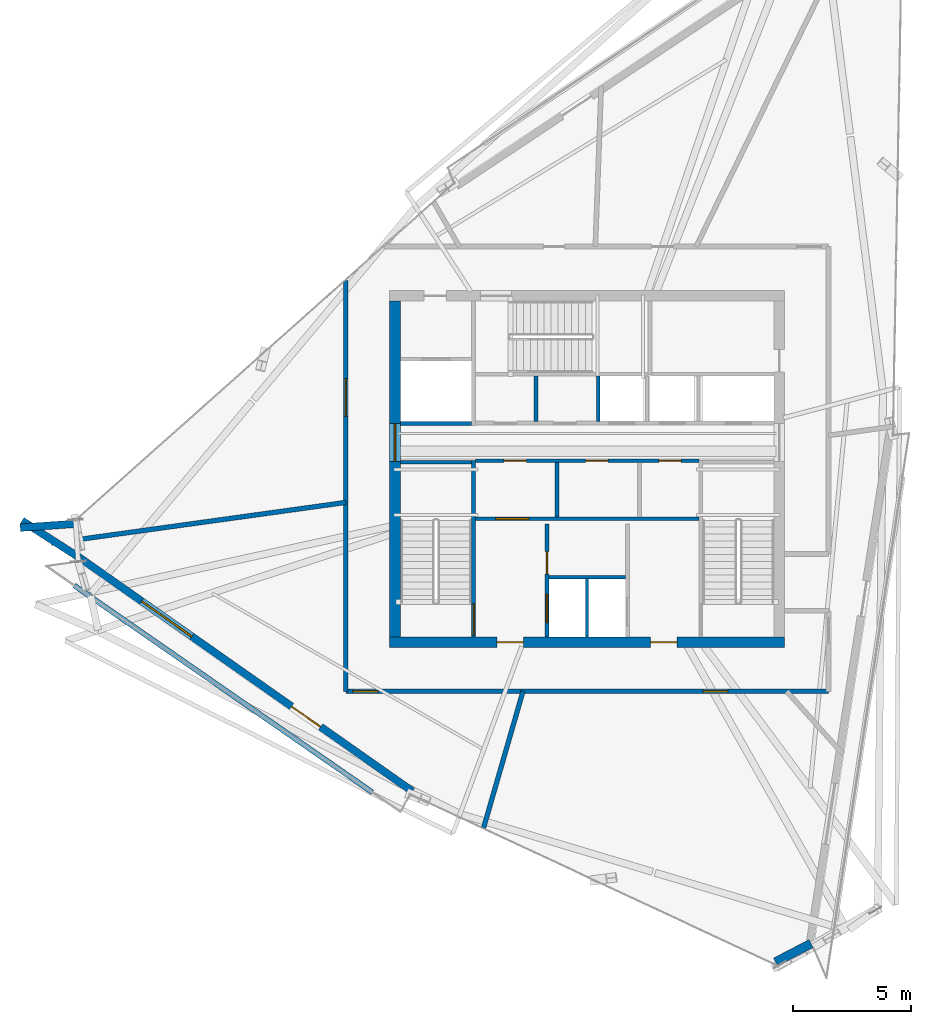
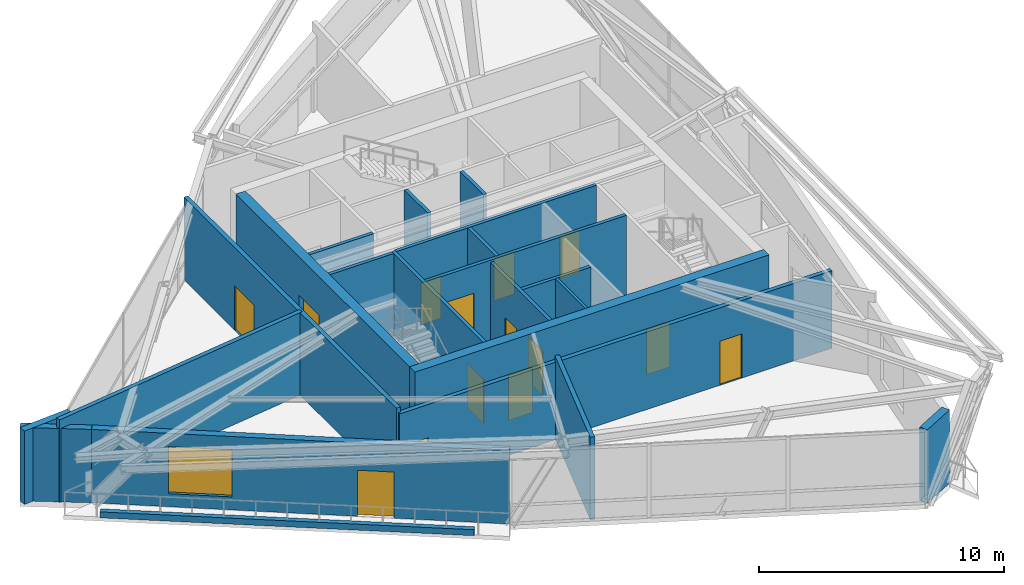
# One storey, part 17 of 22: 22 walls, 13 doors, 2 windows, 15 openings.
"""IFC4 building model written with IfcOpenShell, lengths in metres."""

from ifc_helpers import new_model, si_unit, direction, frame, frame_2d, origin, place, context, subcontext, project, spatial, rectangle, extrude, source, transform, mapped, material, layer, layer_set, type_object, type_shapes, element, fill, save


model = new_model("IFC4")

# Units and contexts
model_context = context("Model", 3, precision=1e-05, world=origin(), true_north=direction((0.0, 1.0)))
body_context = subcontext(model_context, "Body", "Model", "MODEL_VIEW")
ifc_project = project(units=[si_unit("LENGTHUNIT", "METRE"), si_unit("AREAUNIT", "SQUARE_METRE"), si_unit("VOLUMEUNIT", "CUBIC_METRE"), si_unit("PLANEANGLEUNIT", "RADIAN"), si_unit("MASSUNIT", "GRAM", prefix="KILO")], contexts=[model_context])

# Site, building, storey
site_placement = place(None, origin())
site = spatial("IfcSite", under=ifc_project, at=site_placement, CompositionType="ELEMENT")
building_placement = place(site_placement, origin())
building = spatial("IfcBuilding", under=site, at=building_placement, Name="Olszyna Solenne Hotel", CompositionType="ELEMENT")
storey_placement = place(building_placement, frame((0.0, 0.0, 286.10009765625)))
storey = spatial("IfcBuildingStorey", under=building, at=storey_placement, Name="L76", CompositionType="ELEMENT", Elevation=286.10009765625)

# Wall, openings, doors
ifc_material_1 = material(Name="Concrete C50/60", Category="concrete")
ifc_layer_1 = layer(ifc_material_1, 0.449951171875, Name="Concrete C50/60")
ifc_layer_set_1 = layer_set([ifc_layer_1], Name="Concrete C50/60")
wall_type_1 = type_object("IfcWallType", Name="WL-CR450", PredefinedType="SHEAR", material=ifc_layer_set_1)
wall_1_placement = place(storey_placement, frame((46.35009765625, 19.27490234375, 0.0), z_axis=(0.0, 0.0, 1.0), x_axis=(-1.0, 0.0, 0.0)))
wall_1 = element("IfcWall", 1, at=wall_1_placement, inside=storey, type_object=wall_type_1, Name="Core shear wall WL-CR450 CRW-L76-S", PredefinedType="SHEAR", context=body_context, shape_type="SweptSolid", body=[
    extrude(rectangle(XDim=16.7001953125, YDim=0.449951171875, at=frame_2d((8.35009765625, 0.0))), origin(), (0.0, 0.0, 1.0), 4.119873046875),
])
opening_1_placement = place(wall_1_placement, frame((4.550048828125, 0.0, 0.0)))
opening_1 = element("IfcOpeningElement", 2, at=opening_1_placement, cuts=wall_1, Name="Opening FL-L76-1", PredefinedType="OPENING", context=body_context, shape_type="SweptSolid", body=[
    extrude(rectangle(XDim=1.1201171875, YDim=2.25, at=frame_2d((0.56005859375, 1.125))), frame((0.0, 0.23486328125, 0.0), z_axis=(0.0, -1.0, 0.0), x_axis=(1.0, 0.0, 0.0)), (0.0, 0.0, 1.0), 0.469970703125),
])
opening_2_placement = place(wall_1_placement, frame((11.050048828125, 0.0, 0.0)))
opening_2 = element("IfcOpeningElement", 3, at=opening_2_placement, cuts=wall_1, Name="Opening FL-L76-2", PredefinedType="OPENING", context=body_context, shape_type="SweptSolid", body=[
    extrude(rectangle(XDim=1.1201171875, YDim=2.25, at=frame_2d((0.56005859375, 1.125))), frame((0.0, 0.23486328125, 0.0), z_axis=(0.0, -1.0, 0.0), x_axis=(1.0, 0.0, 0.0)), (0.0, 0.0, 1.0), 0.469970703125),
])
ifc_material_2 = material(Name="Steel S355J2", Category="steel")
door_type_1 = type_object("IfcDoorType", Name="DR-FL1", OperationType="NOTDEFINED", PredefinedType="DOOR", material=ifc_material_2)
shared_shape_1 = source(origin(), body_context, "Body", "SweptSolid", [
    extrude(rectangle(XDim=1.1201171875, YDim=2.25, at=frame_2d((0.56005859375, 1.125))), frame((0.0, 0.02490234375, 0.0), z_axis=(0.0, -1.0, 0.0), x_axis=(1.0, 0.0, 0.0)), (0.0, 0.0, 1.0), 0.050048828125),
])
type_shapes(door_type_1, [shared_shape_1])
door_1_placement = place(opening_1_placement, origin())
door_1 = element("IfcDoor", 4, at=door_1_placement, inside=storey, type_object=door_type_1, Name="Firefighting lift lobby smoke door FL-L76-1", OperationType="SINGLE_SWING_LEFT", OverallHeight=2.25, OverallWidth=1.1201171875, PredefinedType="DOOR", context=body_context, shape_type="MappedRepresentation", body=[
    mapped(shared_shape_1, transform((0.0, 0.0, 0.0), x_axis=(1.0, 0.0, 0.0), y_axis=(0.0, 1.0, 0.0), z_axis=(0.0, 0.0, 1.0), scale=1.0)),
])
fill(opening_1, door_1)
door_2_placement = place(opening_2_placement, origin())
door_2 = element("IfcDoor", 5, at=door_2_placement, inside=storey, type_object=door_type_1, Name="Firefighting lift lobby smoke door FL-L76-2", OperationType="SINGLE_SWING_RIGHT", OverallHeight=2.25, OverallWidth=1.1201171875, PredefinedType="DOOR", context=body_context, shape_type="MappedRepresentation", body=[
    mapped(shared_shape_1, transform((0.0, 0.0, 0.0), x_axis=(1.0, 0.0, 0.0), y_axis=(0.0, 1.0, 0.0), z_axis=(0.0, 0.0, 1.0), scale=1.0)),
])
fill(opening_2, door_2)

# Wall, opening, door
wall_2_placement = place(storey_placement, frame((29.875, 19.5, 0.0), z_axis=(0.0, 0.0, 1.0), x_axis=(0.0, 1.0, 0.0)))
wall_2 = element("IfcWall", 6, at=wall_2_placement, inside=storey, type_object=wall_type_1, Name="Core shear wall WL-CR450 CRW-L76-W", PredefinedType="SHEAR", context=body_context, shape_type="SweptSolid", body=[
    extrude(rectangle(XDim=14.199951171875, YDim=0.449951171875, at=frame_2d((7.10009765625, 0.0))), origin(), (0.0, 0.0, 1.0), 4.119873046875),
])
opening_3_placement = place(wall_2_placement, frame((7.419921875, 0.0, 0.0)))
opening_3 = element("IfcOpeningElement", 7, at=opening_3_placement, cuts=wall_2, Name="Opening LHD-L76-W", PredefinedType="OPENING", context=body_context, shape_type="SweptSolid", body=[
    extrude(rectangle(XDim=1.60009765625, YDim=2.199951171875, at=frame_2d((0.800048828125, 1.10009765625))), frame((0.0, 0.23486328125, 0.0), z_axis=(0.0, -1.0, 0.0), x_axis=(1.0, 0.0, 0.0)), (0.0, 0.0, 1.0), 0.469970703125),
])
ifc_material_3 = material(Name="Timber hardwood", Category="wood")
door_type_2 = type_object("IfcDoorType", Name="DR-CR1", OperationType="DOUBLE_DOOR_SINGLE_SWING", PredefinedType="DOOR", material=ifc_material_3)
shared_shape_2 = source(origin(), body_context, "Body", "SweptSolid", [
    extrude(rectangle(XDim=1.60009765625, YDim=2.199951171875, at=frame_2d((0.800048828125, 1.10009765625))), frame((0.0, 0.02490234375, 0.0), z_axis=(0.0, -1.0, 0.0), x_axis=(1.0, 0.0, 0.0)), (0.0, 0.0, 1.0), 0.050048828125),
])
type_shapes(door_type_2, [shared_shape_2])
door_3_placement = place(opening_3_placement, origin())
door_3 = element("IfcDoor", 8, at=door_3_placement, inside=storey, type_object=door_type_2, Name="Passenger lift lobby West fire door LHD-L76-W", OperationType="DOUBLE_DOOR_SINGLE_SWING", OverallHeight=2.199951171875, OverallWidth=1.60009765625, PredefinedType="DOOR", context=body_context, shape_type="MappedRepresentation", body=[
    mapped(shared_shape_2, transform((0.0, 0.0, 0.0), x_axis=(1.0, 0.0, 0.0), y_axis=(0.0, 1.0, 0.0), z_axis=(0.0, 0.0, 1.0), scale=1.0)),
])
fill(opening_3, door_3)

# Wall, openings, door, window
ifc_material_4 = material(Name="Precast concrete C45/55", Category="concrete")
ifc_layer_2 = layer(ifc_material_4, 0.320068359375, Name="Precast concrete C45/55")
ifc_layer_set_2 = layer_set([ifc_layer_2], Name="Precast concrete C45/55")
wall_type_2 = type_object("IfcWallType", Name="WL-EX320", PredefinedType="SOLIDWALL", material=ifc_layer_set_2)
wall_3_placement = place(storey_placement, frame((30.610107421875, 12.9736328125, 0.0), z_axis=(0.0, 0.0, 1.0), x_axis=(-0.818470582771, 0.57454843585, 0.0)))
wall_3 = element("IfcWall", 9, at=wall_3_placement, inside=storey, type_object=wall_type_2, Name="Exterior terracotta-precast frame wall WL-EX320 EW-L76-04", PredefinedType="SOLIDWALL", context=body_context, shape_type="SweptSolid", body=[
    extrude(rectangle(XDim=17.145263671875, YDim=0.320068359375, at=frame_2d((8.57275390625, 0.0))), origin(), (0.0, 0.0, 1.0), 3.661865234375),
])
opening_4_placement = place(wall_3_placement, frame((4.737060546875, 0.0, 0.0)))
opening_4 = element("IfcOpeningElement", 10, at=opening_4_placement, cuts=wall_3, Name="Opening LDG-L76-2", PredefinedType="OPENING", context=body_context, shape_type="SweptSolid", body=[
    extrude(rectangle(XDim=1.5, YDim=2.300048828125, at=frame_2d((0.75, 1.14990234375))), frame((0.0, 0.169921875, 0.0), z_axis=(0.0, -1.0, 0.0), x_axis=(1.0, 0.0, 0.0)), (0.0, 0.0, 1.0), 0.340087890625),
])
opening_5_placement = place(wall_3_placement, frame((11.387939453125, 0.0, 0.64990234375)))
opening_5 = element("IfcOpeningElement", 11, at=opening_5_placement, cuts=wall_3, Name="Opening WN-L76-501", PredefinedType="OPENING", context=body_context, shape_type="SweptSolid", body=[
    extrude(rectangle(XDim=2.60009765625, YDim=2.35009765625, at=frame_2d((1.300048828125, 1.175048828125))), frame((0.0, 0.169921875, 0.0), z_axis=(0.0, -1.0, 0.0), x_axis=(1.0, 0.0, 0.0)), (0.0, 0.0, 1.0), 0.340087890625),
])
ifc_material_5 = material(Name="Anodised bronze aluminium", Category="aluminium")
door_type_3 = type_object("IfcDoorType", Name="DR-LG2", OperationType="DOUBLE_DOOR_SINGLE_SWING", PredefinedType="DOOR", material=ifc_material_5)
shared_shape_3 = source(origin(), body_context, "Body", "SweptSolid", [
    extrude(rectangle(XDim=1.5, YDim=2.300048828125, at=frame_2d((0.75, 1.14990234375))), frame((0.0, 0.02490234375, 0.0), z_axis=(0.0, -1.0, 0.0), x_axis=(1.0, 0.0, 0.0)), (0.0, 0.0, 1.0), 0.050048828125),
])
type_shapes(door_type_3, [shared_shape_3])
door_4_placement = place(opening_4_placement, origin())
door_4 = element("IfcDoor", 12, at=door_4_placement, inside=storey, type_object=door_type_3, Name="Exterior loggia balcony door DR-LG2 LDG-L76-2", OperationType="DOUBLE_DOOR_SINGLE_SWING", OverallHeight=2.300048828125, OverallWidth=1.5, PredefinedType="DOOR", context=body_context, shape_type="MappedRepresentation", body=[
    mapped(shared_shape_3, transform((0.0, 0.0, 0.0), x_axis=(1.0, 0.0, 0.0), y_axis=(0.0, 1.0, 0.0), z_axis=(0.0, 0.0, 1.0), scale=1.0)),
])
fill(opening_4, door_4)
ifc_material_6 = material(Name="Low-E triple glazing", Category="glass")
window_type_1 = type_object("IfcWindowType", Name="WN-ST1", PartitioningType="SINGLE_PANEL", PredefinedType="WINDOW", material=ifc_material_6)
shared_shape_4 = source(origin(), body_context, "Body", "SweptSolid", [
    extrude(rectangle(XDim=2.60009765625, YDim=2.35009765625, at=frame_2d((1.300048828125, 1.175048828125))), frame((0.0, 0.030029296875, 0.0), z_axis=(0.0, -1.0, 0.0), x_axis=(1.0, 0.0, 0.0)), (0.0, 0.0, 1.0), 0.06005859375),
])
type_shapes(window_type_1, [shared_shape_4])
window_1_placement = place(opening_5_placement, origin())
window_1 = element("IfcWindow", 13, at=window_1_placement, inside=storey, type_object=window_type_1, Name="Loggia room window WN-ST1 WN-L76-501", OverallHeight=2.35009765625, OverallWidth=2.60009765625, PartitioningType="SINGLE_PANEL", PredefinedType="WINDOW", context=body_context, shape_type="MappedRepresentation", body=[
    mapped(shared_shape_4, transform((0.0, 0.0, 0.0), x_axis=(1.0, 0.0, 0.0), y_axis=(0.0, 1.0, 0.0), z_axis=(0.0, 0.0, 1.0), scale=1.0)),
])
fill(opening_5, window_1)

# Walls
wall_4_placement = place(storey_placement, frame((16.57177734375, 22.827880859375, 0.0), z_axis=(0.0, 0.0, 1.0), x_axis=(-0.841091692127, 0.540892563671, 0.0)))
element("IfcWall", 14, at=wall_4_placement, inside=storey, type_object=wall_type_2, Name="Exterior terracotta-precast frame wall WL-EX320 EW-L76-05", PredefinedType="SOLIDWALL", context=body_context, shape_type="SweptSolid", body=[
    extrude(rectangle(XDim=2.92529296875, YDim=0.320068359375, at=frame_2d((1.462646484375, 0.0))), origin(), (0.0, 0.0, 1.0), 3.661865234375),
])
wall_5_placement = place(storey_placement, frame((14.0361328125, 24.115966796875, 0.0), z_axis=(0.0, 0.0, 1.0), x_axis=(0.997516376818, 0.070434920171, 0.0)))
element("IfcWall", 15, at=wall_5_placement, inside=storey, type_object=wall_type_2, Name="Exterior terracotta-precast frame wall WL-EX320 EW-L76-06", PredefinedType="SOLIDWALL", context=body_context, shape_type="SweptSolid", body=[
    extrude(rectangle(XDim=2.35009765625, YDim=0.320068359375, at=frame_2d((1.175048828125, 0.0))), origin(), (0.0, 0.0, 1.0), 3.661865234375),
])
ifc_material_7 = material(Name="Terracotta cladding on precast concrete C45/55", Category="masonry")
ifc_layer_3 = layer(ifc_material_7, 0.3798828125, Name="Terracotta cladding on precast concrete C45/55")
ifc_layer_set_3 = layer_set([ifc_layer_3], Name="Terracotta cladding on precast concrete C45/55")
wall_type_3 = type_object("IfcWallType", Name="WL-EX380", PredefinedType="SOLIDWALL", material=ifc_layer_set_3)
wall_6_placement = place(storey_placement, frame((47.462646484375, 6.5361328125, 0.0), z_axis=(0.0, 0.0, 1.0), x_axis=(-0.887015338526, -0.46173995844, 0.0)))
element("IfcWall", 16, at=wall_6_placement, inside=storey, type_object=wall_type_3, Name="Exterior terracotta-precast frame wall WL-EX380 EW-L76-02", PredefinedType="SOLIDWALL", context=body_context, shape_type="SweptSolid", body=[
    extrude(rectangle(XDim=1.687255859375, YDim=0.3798828125, at=frame_2d((0.84375, 0.0))), origin(), (0.0, 0.0, 1.0), 3.661865234375),
])
ifc_layer_4 = layer(ifc_material_4, 0.219970703125, Name="Precast concrete C45/55")
ifc_layer_set_4 = layer_set([ifc_layer_4], Name="Precast concrete C45/55")
wall_type_4 = type_object("IfcWallType", Name="WL-PR220", PredefinedType="PARAPET", material=ifc_layer_set_4)
wall_7_placement = place(storey_placement, frame((16.318359375, 21.67431640625, 0.0), z_axis=(0.0, 0.0, 1.0), x_axis=(0.821531955781, -0.570162473012, 0.0)))
element("IfcWall", 17, at=wall_7_placement, inside=storey, type_object=wall_type_4, Name="Loggia balcony precast kerb PR-L76-LG2", PredefinedType="PARAPET", context=body_context, shape_type="SweptSolid", body=[
    extrude(rectangle(XDim=15.3349609375, YDim=0.219970703125, at=frame_2d((7.66748046875, 0.0))), origin(), (0.0, 0.0, 1.0), 0.2998046875),
])
ifc_material_8 = material(Name="Acoustic gypsum partition", Category="gypsum")
ifc_layer_5 = layer(ifc_material_8, 0.125, Name="Acoustic gypsum partition")
ifc_layer_set_5 = layer_set([ifc_layer_5], Name="Acoustic gypsum partition")
wall_type_5 = type_object("IfcWallType", Name="WL-PT125", PredefinedType="PARTITIONING", material=ifc_layer_set_5)
wall_8_placement = place(storey_placement, frame((38.0, 19.5, 0.0), z_axis=(0.0, 0.0, 1.0), x_axis=(0.0, 1.0, 0.0)))
element("IfcWall", 18, at=wall_8_placement, inside=storey, type_object=wall_type_5, Name="Core shaft compartment wall CW-L76-FFM", PredefinedType="PARTITIONING", context=body_context, shape_type="SweptSolid", body=[
    extrude(rectangle(XDim=2.4599609375, YDim=0.125, at=frame_2d((1.22998046875, 0.0))), origin(), (0.0, 0.0, 1.0), 4.119873046875),
])

# Wall, opening, door
ifc_layer_6 = layer(ifc_material_8, 0.159912109375, Name="Acoustic gypsum partition")
ifc_layer_set_6 = layer_set([ifc_layer_6], Name="Acoustic gypsum partition")
wall_type_6 = type_object("IfcWallType", Name="WL-PT160", PredefinedType="PARTITIONING", material=ifc_layer_set_6)
wall_9_placement = place(storey_placement, frame((33.199951171875, 19.5, 0.0), z_axis=(0.0, 0.0, 1.0), x_axis=(0.0, 1.0, 0.0)))
wall_9 = element("IfcWall", 19, at=wall_9_placement, inside=storey, type_object=wall_type_6, Name="Core shaft compartment wall CW-L76-ST1E", PredefinedType="PARTITIONING", context=body_context, shape_type="SweptSolid", body=[
    extrude(rectangle(XDim=7.4599609375, YDim=0.159912109375, at=frame_2d((3.72998046875, 0.0))), origin(), (0.0, 0.0, 1.0), 4.119873046875),
])
opening_6_placement = place(wall_9_placement, frame((0.080078125, 0.0, 0.0)))
opening_6 = element("IfcOpeningElement", 20, at=opening_6_placement, cuts=wall_9, Name="Opening STD-L76-01", PredefinedType="OPENING", context=body_context, shape_type="SweptSolid", body=[
    extrude(rectangle(XDim=1.320068359375, YDim=2.199951171875, at=frame_2d((0.66015625, 1.10009765625))), frame((0.0, 0.08984375, 0.0), z_axis=(0.0, -1.0, 0.0), x_axis=(1.0, 0.0, 0.0)), (0.0, 0.0, 1.0), 0.179931640625),
])
door_type_4 = type_object("IfcDoorType", Name="DR-ST1", OperationType="NOTDEFINED", PredefinedType="DOOR", material=ifc_material_2)
shared_shape_5 = source(origin(), body_context, "Body", "SweptSolid", [
    extrude(rectangle(XDim=1.320068359375, YDim=2.199951171875, at=frame_2d((0.66015625, 1.10009765625))), frame((0.0, 0.02490234375, 0.0), z_axis=(0.0, -1.0, 0.0), x_axis=(1.0, 0.0, 0.0)), (0.0, 0.0, 1.0), 0.050048828125),
])
type_shapes(door_type_4, [shared_shape_5])
door_5_placement = place(opening_6_placement, origin())
door_5 = element("IfcDoor", 21, at=door_5_placement, inside=storey, type_object=door_type_4, Name="Pressurised exit stair ST1 fire door STD-L76-01", OperationType="SINGLE_SWING_LEFT", OverallHeight=2.199951171875, OverallWidth=1.320068359375, PredefinedType="DOOR", context=body_context, shape_type="MappedRepresentation", body=[
    mapped(shared_shape_5, transform((0.0, 0.0, 0.0), x_axis=(1.0, 0.0, 0.0), y_axis=(0.0, 1.0, 0.0), z_axis=(0.0, 0.0, 1.0), scale=1.0)),
])
fill(opening_6, door_5)

# Wall
wall_10_placement = place(storey_placement, frame((30.10009765625, 26.8798828125, 0.0), z_axis=(0.0, 0.0, 1.0), x_axis=(1.0, 0.0, 0.0)))
element("IfcWall", 22, at=wall_10_placement, inside=storey, type_object=wall_type_6, Name="Core shaft compartment wall CW-L76-ST1N", PredefinedType="PARTITIONING", context=body_context, shape_type="SweptSolid", body=[
    extrude(rectangle(XDim=3.02001953125, YDim=0.159912109375, at=frame_2d((1.510009765625, 0.0))), origin(), (0.0, 0.0, 1.0), 4.119873046875),
])

# Wall, openings, doors
wall_11_placement = place(storey_placement, frame((36.300048828125, 19.5, 0.0), z_axis=(0.0, 0.0, 1.0), x_axis=(0.0, 1.0, 0.0)))
wall_11 = element("IfcWall", 23, at=wall_11_placement, inside=storey, type_object=wall_type_6, Name="Core shaft compartment wall CW-L76-FF1W", PredefinedType="PARTITIONING", context=body_context, shape_type="SweptSolid", body=[
    extrude(rectangle(XDim=4.780029296875, YDim=0.159912109375, at=frame_2d((2.39013671875, 0.0))), origin(), (0.0, 0.0, 1.0), 4.119873046875),
])
opening_7_placement = place(wall_11_placement, frame((0.60009765625, 0.0, 0.0)))
opening_7 = element("IfcOpeningElement", 24, at=opening_7_placement, cuts=wall_11, Name="Opening LD-L76-FF1", PredefinedType="OPENING", context=body_context, shape_type="SweptSolid", body=[
    extrude(rectangle(XDim=1.199951171875, YDim=2.199951171875, at=frame_2d((0.60009765625, 1.10009765625))), frame((0.0, 0.08984375, 0.0), z_axis=(0.0, -1.0, 0.0), x_axis=(1.0, 0.0, 0.0)), (0.0, 0.0, 1.0), 0.179931640625),
])
opening_8_placement = place(wall_11_placement, frame((2.64990234375, 0.0, 0.0)))
opening_8 = element("IfcOpeningElement", 25, at=opening_8_placement, cuts=wall_11, Name="Opening SVD-L76-SMK", PredefinedType="OPENING", context=body_context, shape_type="SweptSolid", body=[
    extrude(rectangle(XDim=0.949951171875, YDim=2.10009765625, at=frame_2d((0.47509765625, 1.050048828125))), frame((0.0, 0.08984375, 0.0), z_axis=(0.0, -1.0, 0.0), x_axis=(1.0, 0.0, 0.0)), (0.0, 0.0, 1.0), 0.179931640625),
])
door_type_5 = type_object("IfcDoorType", Name="DR-SV1", OperationType="NOTDEFINED", PredefinedType="DOOR", material=ifc_material_2)
shared_shape_6 = source(origin(), body_context, "Body", "SweptSolid", [
    extrude(rectangle(XDim=0.949951171875, YDim=2.10009765625, at=frame_2d((0.47509765625, 1.050048828125))), frame((0.0, 0.02490234375, 0.0), z_axis=(0.0, -1.0, 0.0), x_axis=(1.0, 0.0, 0.0)), (0.0, 0.0, 1.0), 0.050048828125),
])
type_shapes(door_type_5, [shared_shape_6])
door_6_placement = place(opening_8_placement, origin())
door_6 = element("IfcDoor", 26, at=door_6_placement, inside=storey, type_object=door_type_5, Name="Valet and core service room door SVD-L76-SMK", OperationType="SINGLE_SWING_LEFT", OverallHeight=2.10009765625, OverallWidth=0.949951171875, PredefinedType="DOOR", context=body_context, shape_type="MappedRepresentation", body=[
    mapped(shared_shape_6, transform((0.0, 0.0, 0.0), x_axis=(1.0, 0.0, 0.0), y_axis=(0.0, 1.0, 0.0), z_axis=(0.0, 0.0, 1.0), scale=1.0)),
])
fill(opening_8, door_6)
door_type_6 = type_object("IfcDoorType", Name="LD-FF1", OperationType="DOUBLE_DOOR_SLIDING", PredefinedType="DOOR", material=ifc_material_2)
shared_shape_7 = source(origin(), body_context, "Body", "SweptSolid", [
    extrude(rectangle(XDim=1.199951171875, YDim=2.199951171875, at=frame_2d((0.60009765625, 1.10009765625))), frame((0.0, 0.02490234375, 0.0), z_axis=(0.0, -1.0, 0.0), x_axis=(1.0, 0.0, 0.0)), (0.0, 0.0, 1.0), 0.050048828125),
])
type_shapes(door_type_6, [shared_shape_7])
door_7_placement = place(opening_7_placement, origin())
door_7 = element("IfcDoor", 27, at=door_7_placement, inside=storey, type_object=door_type_6, Name="Firefighters lift FF1 sliding landing door LD-L76-FF1", OperationType="DOUBLE_DOOR_SLIDING", OverallHeight=2.199951171875, OverallWidth=1.199951171875, PredefinedType="DOOR", context=body_context, shape_type="MappedRepresentation", body=[
    mapped(shared_shape_7, transform((0.0, 0.0, 0.0), x_axis=(1.0, 0.0, 0.0), y_axis=(0.0, 1.0, 0.0), z_axis=(0.0, 0.0, 1.0), scale=1.0)),
])
fill(opening_7, door_7)

# Wall
wall_12_placement = place(storey_placement, frame((36.3798828125, 22.02001953125, 0.0), z_axis=(0.0, 0.0, 1.0), x_axis=(1.0, 0.0, 0.0)))
element("IfcWall", 28, at=wall_12_placement, inside=storey, type_object=wall_type_6, Name="Core shaft compartment wall CW-L76-FFN", PredefinedType="PARTITIONING", context=body_context, shape_type="SweptSolid", body=[
    extrude(rectangle(XDim=3.240234375, YDim=0.159912109375, at=frame_2d((1.6201171875, 0.0))), origin(), (0.0, 0.0, 1.0), 4.119873046875),
])

# Wall, opening, window
wall_13_placement = place(storey_placement, frame((33.280029296875, 24.489990234375, 0.0), z_axis=(0.0, 0.0, 1.0), x_axis=(1.0, 0.0, 0.0)))
wall_13 = element("IfcWall", 29, at=wall_13_placement, inside=storey, type_object=wall_type_6, Name="Core shaft compartment wall CW-L76-FFBN", PredefinedType="PARTITIONING", context=body_context, shape_type="SweptSolid", body=[
    extrude(rectangle(XDim=9.43994140625, YDim=0.159912109375, at=frame_2d((4.719970703125, 0.0))), origin(), (0.0, 0.0, 1.0), 4.119873046875),
])
opening_9_placement = place(wall_13_placement, frame((0.85009765625, 0.0, 0.949951171875)))
opening_9 = element("IfcOpeningElement", 30, at=opening_9_placement, cuts=wall_13, Name="Opening WNI-L76-01", PredefinedType="OPENING", context=body_context, shape_type="SweptSolid", body=[
    extrude(rectangle(XDim=1.39990234375, YDim=1.800048828125, at=frame_2d((0.699951171875, 0.89990234375))), frame((0.0, 0.08984375, 0.0), z_axis=(0.0, -1.0, 0.0), x_axis=(1.0, 0.0, 0.0)), (0.0, 0.0, 1.0), 0.179931640625),
])
window_type_2 = type_object("IfcWindowType", Name="WN-IN1", PartitioningType="SINGLE_PANEL", PredefinedType="WINDOW", material=ifc_material_6)
shared_shape_8 = source(origin(), body_context, "Body", "SweptSolid", [
    extrude(rectangle(XDim=1.39990234375, YDim=1.800048828125, at=frame_2d((0.699951171875, 0.89990234375))), frame((0.0, 0.030029296875, 0.0), z_axis=(0.0, -1.0, 0.0), x_axis=(1.0, 0.0, 0.0)), (0.0, 0.0, 1.0), 0.06005859375),
])
type_shapes(window_type_2, [shared_shape_8])
window_2_placement = place(opening_9_placement, origin())
window_2 = element("IfcWindow", 31, at=window_2_placement, inside=storey, type_object=window_type_2, Name="Borrowed-light acoustic screen window WNI-L76-01", OverallHeight=1.800048828125, OverallWidth=1.39990234375, PartitioningType="SINGLE_PANEL", PredefinedType="WINDOW", context=body_context, shape_type="MappedRepresentation", body=[
    mapped(shared_shape_8, transform((0.0, 0.0, 0.0), x_axis=(1.0, 0.0, 0.0), y_axis=(0.0, 1.0, 0.0), z_axis=(0.0, 0.0, 1.0), scale=1.0)),
])
fill(opening_9, window_2)

# Wall
wall_14_placement = place(storey_placement, frame((30.10009765625, 28.52001953125, 0.0), z_axis=(0.0, 0.0, 1.0), x_axis=(1.0, 0.0, 0.0)))
element("IfcWall", 32, at=wall_14_placement, inside=storey, type_object=wall_type_6, Name="Core shaft compartment wall CW-L76-SV1S", PredefinedType="PARTITIONING", context=body_context, shape_type="SweptSolid", body=[
    extrude(rectangle(XDim=3.02001953125, YDim=0.159912109375, at=frame_2d((1.510009765625, 0.0))), origin(), (0.0, 0.0, 1.0), 4.119873046875),
])

# Wall, openings, doors
wall_15_placement = place(storey_placement, frame((33.280029296875, 26.949951171875, 0.0), z_axis=(0.0, 0.0, 1.0), x_axis=(1.0, 0.0, 0.0)))
wall_15 = element("IfcWall", 33, at=wall_15_placement, inside=storey, type_object=wall_type_6, Name="Core shaft compartment wall CW-L76-LRS", PredefinedType="PARTITIONING", context=body_context, shape_type="SweptSolid", body=[
    extrude(rectangle(XDim=9.43994140625, YDim=0.159912109375, at=frame_2d((4.719970703125, 0.0))), origin(), (0.0, 0.0, 1.0), 4.119873046875),
])
opening_10_placement = place(wall_15_placement, frame((1.199951171875, 0.0, 0.0)))
opening_10 = element("IfcOpeningElement", 34, at=opening_10_placement, cuts=wall_15, Name="Opening SVD-L76-L71", PredefinedType="OPENING", context=body_context, shape_type="SweptSolid", body=[
    extrude(rectangle(XDim=0.949951171875, YDim=2.10009765625, at=frame_2d((0.47509765625, 1.050048828125))), frame((0.0, 0.08984375, 0.0), z_axis=(0.0, -1.0, 0.0), x_axis=(1.0, 0.0, 0.0)), (0.0, 0.0, 1.0), 0.179931640625),
])
opening_11_placement = place(wall_15_placement, frame((4.64990234375, 0.0, 0.0)))
opening_11 = element("IfcOpeningElement", 35, at=opening_11_placement, cuts=wall_15, Name="Opening SVD-L76-L72", PredefinedType="OPENING", context=body_context, shape_type="SweptSolid", body=[
    extrude(rectangle(XDim=0.949951171875, YDim=2.10009765625, at=frame_2d((0.47509765625, 1.050048828125))), frame((0.0, 0.08984375, 0.0), z_axis=(0.0, -1.0, 0.0), x_axis=(1.0, 0.0, 0.0)), (0.0, 0.0, 1.0), 0.179931640625),
])
opening_12_placement = place(wall_15_placement, frame((7.7451171875, 0.0, 0.0)))
opening_12 = element("IfcOpeningElement", 36, at=opening_12_placement, cuts=wall_15, Name="Opening SVD-L76-L73", PredefinedType="OPENING", context=body_context, shape_type="SweptSolid", body=[
    extrude(rectangle(XDim=0.949951171875, YDim=2.10009765625, at=frame_2d((0.47509765625, 1.050048828125))), frame((0.0, 0.08984375, 0.0), z_axis=(0.0, -1.0, 0.0), x_axis=(1.0, 0.0, 0.0)), (0.0, 0.0, 1.0), 0.179931640625),
])
door_8_placement = place(opening_10_placement, origin())
door_8 = element("IfcDoor", 37, at=door_8_placement, inside=storey, type_object=door_type_5, Name="Recaptured core room fire door SVD-L76-L71", OperationType="SINGLE_SWING_LEFT", OverallHeight=2.10009765625, OverallWidth=0.949951171875, PredefinedType="DOOR", context=body_context, shape_type="MappedRepresentation", body=[
    mapped(shared_shape_6, transform((0.0, 0.0, 0.0), x_axis=(1.0, 0.0, 0.0), y_axis=(0.0, 1.0, 0.0), z_axis=(0.0, 0.0, 1.0), scale=1.0)),
])
fill(opening_10, door_8)
door_9_placement = place(opening_11_placement, origin())
door_9 = element("IfcDoor", 38, at=door_9_placement, inside=storey, type_object=door_type_5, Name="Recaptured core room fire door SVD-L76-L72", OperationType="SINGLE_SWING_RIGHT", OverallHeight=2.10009765625, OverallWidth=0.949951171875, PredefinedType="DOOR", context=body_context, shape_type="MappedRepresentation", body=[
    mapped(shared_shape_6, transform((0.0, 0.0, 0.0), x_axis=(1.0, 0.0, 0.0), y_axis=(0.0, 1.0, 0.0), z_axis=(0.0, 0.0, 1.0), scale=1.0)),
])
fill(opening_11, door_9)
door_10_placement = place(opening_12_placement, origin())
door_10 = element("IfcDoor", 39, at=door_10_placement, inside=storey, type_object=door_type_5, Name="Observation AV room fire door SVD-L76-L73", OperationType="SINGLE_SWING_RIGHT", OverallHeight=2.10009765625, OverallWidth=0.949951171875, PredefinedType="DOOR", context=body_context, shape_type="MappedRepresentation", body=[
    mapped(shared_shape_6, transform((0.0, 0.0, 0.0), x_axis=(1.0, 0.0, 0.0), y_axis=(0.0, 1.0, 0.0), z_axis=(0.0, 0.0, 1.0), scale=1.0)),
])
fill(opening_12, door_10)

# Walls
wall_16_placement = place(storey_placement, frame((36.72998046875, 24.56005859375, 0.0), z_axis=(0.0, 0.0, 1.0), x_axis=(0.0, 1.0, 0.0)))
element("IfcWall", 40, at=wall_16_placement, inside=storey, type_object=wall_type_6, Name="Core shaft compartment wall CW-L76-LV7DIV1", PredefinedType="PARTITIONING", context=body_context, shape_type="SweptSolid", body=[
    extrude(rectangle(XDim=2.31005859375, YDim=0.159912109375, at=frame_2d((1.155029296875, 0.0))), origin(), (0.0, 0.0, 1.0), 4.119873046875),
])
for number, where, z_axis, x_axis, name in (
    (41, (35.840087890625, 28.60009765625, 0.0), (0.0, 0.0, 1.0), (0.0, 1.0, 0.0), "Core shaft compartment wall CW-L76-LV7NDIV1"),
    (42, (38.465087890625, 28.60009765625, 0.0), (0.0, 0.0, 1.0), (0.0, 1.0, 0.0), "Core shaft compartment wall CW-L76-LV7NDIV2"),
):
    element("IfcWall", number, at=place(storey_placement, frame(where, z_axis=z_axis, x_axis=x_axis)), inside=storey, type_object=wall_type_6, Name=name, PredefinedType="PARTITIONING", context=body_context, shape_type="SweptSolid", body=[
        extrude(rectangle(XDim=1.919921875, YDim=0.159912109375, at=frame_2d((0.9599609375, 0.0))), origin(), (0.0, 0.0, 1.0), 4.119873046875),
    ])
ifc_layer_7 = layer(ifc_material_8, 0.199951171875, Name="Acoustic gypsum partition")
ifc_layer_set_7 = layer_set([ifc_layer_7], Name="Acoustic gypsum partition")
wall_type_7 = type_object("IfcWallType", Name="WL-PT200", PredefinedType="PARTITIONING", material=ifc_layer_set_7)
wall_17_placement = place(storey_placement, frame((27.800048828125, 25.1845703125, 0.0), z_axis=(0.0, 0.0, 1.0), x_axis=(-0.990511455739, -0.137430186092, 0.0)))
element("IfcWall", 43, at=wall_17_placement, inside=storey, type_object=wall_type_7, Name="Interior acoustic partition WL-PT200 PW-L76-4145", PredefinedType="PARTITIONING", context=body_context, shape_type="SweptSolid", body=[
    extrude(rectangle(XDim=12.566650390625, YDim=0.199951171875, at=frame_2d((6.283203125, 0.0))), origin(), (0.0, 0.0, 1.0), 4.119873046875),
])
wall_18_placement = place(storey_placement, frame((35.286865234375, 17.199951171875, 0.0), z_axis=(0.0, 0.0, 1.0), x_axis=(-0.277312132805, -0.960779881658, 0.0)))
element("IfcWall", 44, at=wall_18_placement, inside=storey, type_object=wall_type_7, Name="Interior acoustic partition WL-PT200 PW-L76-4146", PredefinedType="PARTITIONING", context=body_context, shape_type="SweptSolid", body=[
    extrude(rectangle(XDim=6.008544921875, YDim=0.199951171875, at=frame_2d((3.00439453125, 0.0))), origin(), (0.0, 0.0, 1.0), 4.119873046875),
])

# Wall, openings, doors
wall_19_placement = place(storey_placement, frame((27.800048828125, 17.199951171875, 0.0), z_axis=(0.0, 0.0, 1.0), x_axis=(1.0, 0.0, 0.0)))
wall_19 = element("IfcWall", 45, at=wall_19_placement, inside=storey, type_object=wall_type_7, Name="Interior acoustic partition WL-PT200 PW-L76-4151", PredefinedType="PARTITIONING", context=body_context, shape_type="SweptSolid", body=[
    extrude(rectangle(XDim=20.39990234375, YDim=0.199951171875, at=frame_2d((10.199951171875, 0.0))), origin(), (0.0, 0.0, 1.0), 3.864990234375),
])
opening_13_placement = place(wall_19_placement, frame((0.300048828125, 0.0, 0.0)))
opening_13 = element("IfcOpeningElement", 46, at=opening_13_placement, cuts=wall_19, Name="Opening DR-L76-1000", PredefinedType="OPENING", context=body_context, shape_type="SweptSolid", body=[
    extrude(rectangle(XDim=1.050048828125, YDim=2.199951171875, at=frame_2d((0.52490234375, 1.10009765625))), frame((0.0, 0.10986328125, 0.0), z_axis=(0.0, -1.0, 0.0), x_axis=(1.0, 0.0, 0.0)), (0.0, 0.0, 1.0), 0.219970703125),
])
opening_14_placement = place(wall_19_placement, frame((15.10107421875, 0.0, 0.0)))
opening_14 = element("IfcOpeningElement", 47, at=opening_14_placement, cuts=wall_19, Name="Opening DR-L76-1001", PredefinedType="OPENING", context=body_context, shape_type="SweptSolid", body=[
    extrude(rectangle(XDim=1.050048828125, YDim=2.199951171875, at=frame_2d((0.52490234375, 1.10009765625))), frame((0.0, 0.10986328125, 0.0), z_axis=(0.0, -1.0, 0.0), x_axis=(1.0, 0.0, 0.0)), (0.0, 0.0, 1.0), 0.219970703125),
])
door_type_7 = type_object("IfcDoorType", Name="DR-RM2", OperationType="NOTDEFINED", PredefinedType="DOOR", material=ifc_material_3)
shared_shape_9 = source(origin(), body_context, "Body", "SweptSolid", [
    extrude(rectangle(XDim=1.050048828125, YDim=2.199951171875, at=frame_2d((0.52490234375, 1.10009765625))), frame((0.0, 0.02490234375, 0.0), z_axis=(0.0, -1.0, 0.0), x_axis=(1.0, 0.0, 0.0)), (0.0, 0.0, 1.0), 0.050048828125),
])
type_shapes(door_type_7, [shared_shape_9])
door_11_placement = place(opening_13_placement, origin())
door_11 = element("IfcDoor", 48, at=door_11_placement, inside=storey, type_object=door_type_7, Name="Public Observation Deck North Entrance Door DR-L76-1000", OperationType="SINGLE_SWING_RIGHT", OverallHeight=2.199951171875, OverallWidth=1.050048828125, PredefinedType="DOOR", context=body_context, shape_type="MappedRepresentation", body=[
    mapped(shared_shape_9, transform((0.0, 0.0, 0.0), x_axis=(1.0, 0.0, 0.0), y_axis=(0.0, 1.0, 0.0), z_axis=(0.0, 0.0, 1.0), scale=1.0)),
])
fill(opening_13, door_11)
door_12_placement = place(opening_14_placement, origin())
door_12 = element("IfcDoor", 49, at=door_12_placement, inside=storey, type_object=door_type_7, Name="Warsaw Panorama Exhibition Gallery Entrance Door DR-L76-1001", OperationType="SINGLE_SWING_LEFT", OverallHeight=2.199951171875, OverallWidth=1.050048828125, PredefinedType="DOOR", context=body_context, shape_type="MappedRepresentation", body=[
    mapped(shared_shape_9, transform((0.0, 0.0, 0.0), x_axis=(1.0, 0.0, 0.0), y_axis=(0.0, 1.0, 0.0), z_axis=(0.0, 0.0, 1.0), scale=1.0)),
])
fill(opening_14, door_12)

# Wall, opening, door
wall_20_placement = place(storey_placement, frame((27.800048828125, 17.199951171875, 0.0), z_axis=(0.0, 0.0, 1.0), x_axis=(0.0, 1.0, 0.0)))
wall_20 = element("IfcWall", 50, at=wall_20_placement, inside=storey, type_object=wall_type_7, Name="Interior acoustic partition WL-PT200 PW-L76-4152", PredefinedType="PARTITIONING", context=body_context, shape_type="SweptSolid", body=[
    extrude(rectangle(XDim=17.374267578125, YDim=0.199951171875, at=frame_2d((8.68701171875, 0.0))), origin(), (0.0, 0.0, 1.0), 4.119873046875),
])
opening_15_placement = place(wall_20_placement, frame((11.6201171875, 0.0, 0.0)))
opening_15 = element("IfcOpeningElement", 51, at=opening_15_placement, cuts=wall_20, Name="Opening DR-L76-1002", PredefinedType="OPENING", context=body_context, shape_type="SweptSolid", body=[
    extrude(rectangle(XDim=1.60009765625, YDim=2.199951171875, at=frame_2d((0.800048828125, 1.10009765625))), frame((0.0, 0.10986328125, 0.0), z_axis=(0.0, -1.0, 0.0), x_axis=(1.0, 0.0, 0.0)), (0.0, 0.0, 1.0), 0.219970703125),
])
door_13_placement = place(opening_15_placement, origin())
door_13 = element("IfcDoor", 52, at=door_13_placement, inside=storey, type_object=door_type_2, Name="Public Observation Deck South Entrance Door DR-L76-1002", OperationType="DOUBLE_DOOR_SINGLE_SWING", OverallHeight=2.199951171875, OverallWidth=1.60009765625, PredefinedType="DOOR", context=body_context, shape_type="MappedRepresentation", body=[
    mapped(shared_shape_2, transform((0.0, 0.0, 0.0), x_axis=(1.0, 0.0, 0.0), y_axis=(0.0, 1.0, 0.0), z_axis=(0.0, 0.0, 1.0), scale=1.0)),
])
fill(opening_15, door_13)

save(model, "model.ifc")
